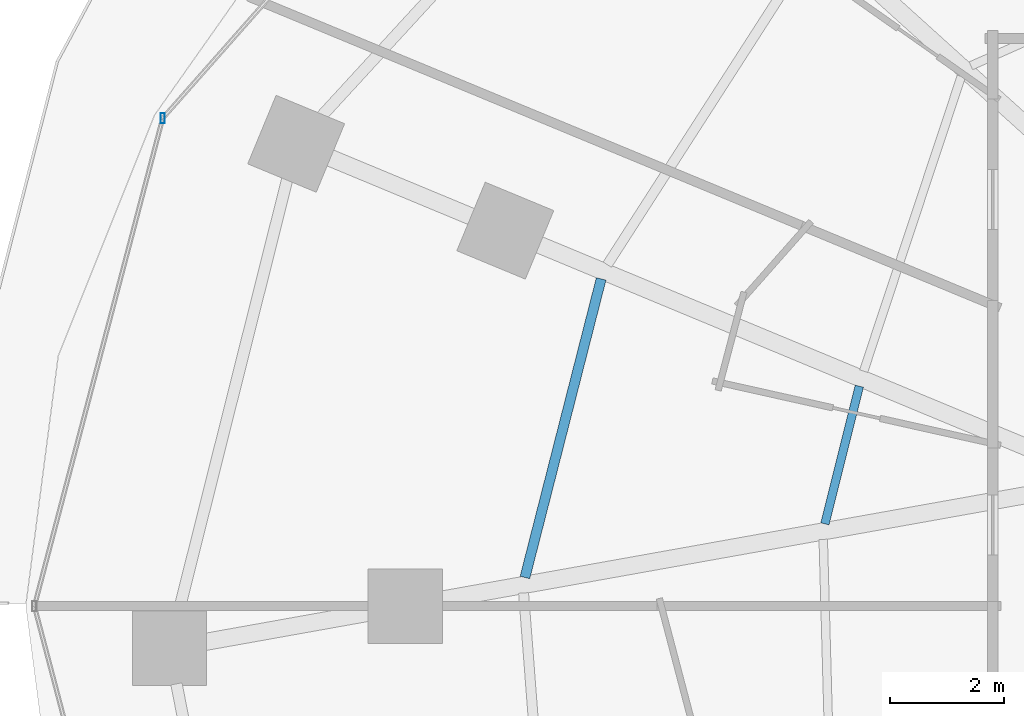
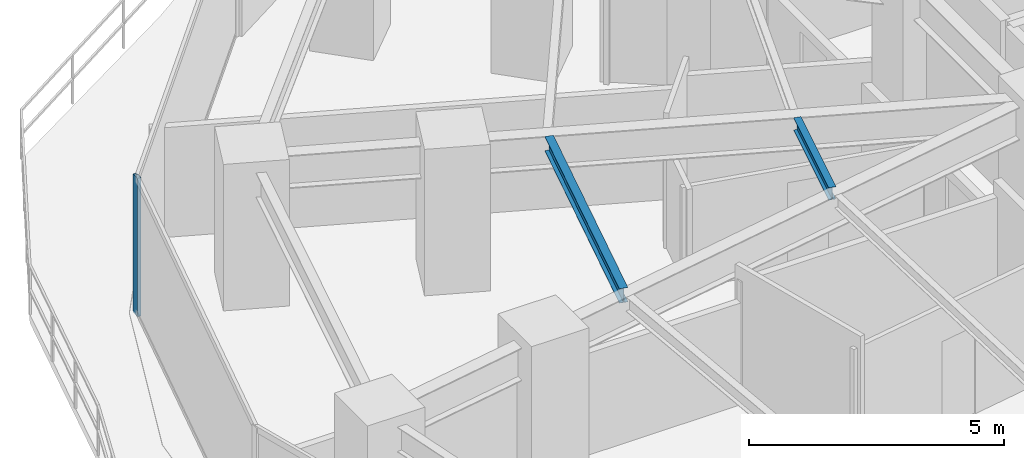
# One storey, part 10 of 34: 2 beams, 1 member, 1 element without a shape of its own.
"""IFC4 building model written with IfcOpenShell, lengths in metres."""

from ifc_helpers import new_model, si_unit, direction, frame, origin, origin_2d, place, context, subcontext, project, spatial, hollow_rectangle, i_section, extrude, material, material_profile, profile_set, type_object, element, aggregate, save


model = new_model("IFC4")

# Units and contexts
model_context = context("Model", 3, precision=1e-05, world=origin(), true_north=direction((0.0, 1.0)))
body_context = subcontext(model_context, "Body", "Model", "MODEL_VIEW")
ifc_project = project(units=[si_unit("LENGTHUNIT", "METRE"), si_unit("AREAUNIT", "SQUARE_METRE"), si_unit("VOLUMEUNIT", "CUBIC_METRE"), si_unit("PLANEANGLEUNIT", "RADIAN"), si_unit("MASSUNIT", "GRAM", prefix="KILO")], contexts=[model_context])

# Site, building, storey
site_placement = place(None, origin())
site = spatial("IfcSite", under=ifc_project, at=site_placement, CompositionType="ELEMENT")
building_placement = place(site_placement, origin())
building = spatial("IfcBuilding", under=site, at=building_placement, Name="Vorneva Point Tower", CompositionType="ELEMENT")
storey_placement = place(building_placement, frame((0.0, 0.0, 31.0)))
storey = spatial("IfcBuildingStorey", under=building, at=storey_placement, Name="L07", CompositionType="ELEMENT", Elevation=31.0)

# Beams
ifc_material_1 = material(Name="Steel S355", Category="steel")
ifc_material_profile_1 = material_profile(ifc_material_1, i_section(OverallWidth=0.14892578125, OverallDepth=0.298095703125, WebThickness=0.005615234375, FlangeThickness=0.008056640625, at=origin_2d()), Name="30B1")
ifc_profile_set_1 = profile_set([ifc_material_profile_1], Name="Steel S355")
beam_type_1 = type_object("IfcBeamType", Name="BM-JST-30B1", PredefinedType="JOIST", material=ifc_profile_set_1)
beam_1_placement = place(storey_placement, frame((22.910400390625, 29.855712890625, 3.091064453125), z_axis=(-0.242373869631, -0.970182924669, 0.0), x_axis=(0.970182924669, -0.242373869631, 0.0)))
element("IfcBeam", 1, at=beam_1_placement, inside=storey, type_object=beam_type_1, Name="L07 Secondary Floor Beam 2.08", PredefinedType="JOIST", context=body_context, shape_type="SweptSolid", body=[
    extrude(i_section(OverallWidth=0.14892578125, OverallDepth=0.298095703125, WebThickness=0.005615234375, FlangeThickness=0.008056640625, at=origin_2d()), origin(), (0.0, 0.0, 1.0), 2.486083984375),
])
ifc_material_profile_2 = material_profile(ifc_material_1, i_section(OverallWidth=0.174072265625, OverallDepth=0.345947265625, WebThickness=0.006103515625, FlangeThickness=0.009033203125, at=origin_2d()), Name="35B1")
ifc_profile_set_2 = profile_set([ifc_material_profile_2], Name="Steel S355")
beam_type_2 = type_object("IfcBeamType", Name="BM-SEC-35B1", PredefinedType="BEAM", material=ifc_profile_set_2)
beam_2_placement = place(storey_placement, frame((18.385009765625, 31.736083984375, 3.06689453125), z_axis=(-0.247350740472, -0.96892600914, 0.0), x_axis=(0.96892600914, -0.247350740472, 0.0)))
element("IfcBeam", 2, at=beam_2_placement, inside=storey, type_object=beam_type_2, Name="L07 Secondary Floor Beam 1.08", PredefinedType="BEAM", context=body_context, shape_type="SweptSolid", body=[
    extrude(i_section(OverallWidth=0.174072265625, OverallDepth=0.345947265625, WebThickness=0.006103515625, FlangeThickness=0.009033203125, at=origin_2d()), origin(), (0.0, 0.0, 1.0), 5.40087890625),
])

# Curtain wall, member
ifc_material_2 = material(Name="Pale anodised aluminium", Category="aluminium")
curtain_wall_type = type_object("IfcCurtainWallType", Name="CW-HTL-SYS", PredefinedType="NOTDEFINED", material=ifc_material_2)
curtain_wall_placement = place(storey_placement, origin())
curtain_wall = element("IfcCurtainWall", 3, at=curtain_wall_placement, inside=storey, type_object=curtain_wall_type, Name="L07 Unitised Curtain Wall CW-L07-R03", PredefinedType="NOTDEFINED")
ifc_material_profile_3 = material_profile(ifc_material_2, hollow_rectangle(XDim=0.074951171875, YDim=0.179931640625, WallThickness=0.00390625, at=origin_2d()), Name="AL-MUL 180x75x4")
ifc_profile_set_3 = profile_set([ifc_material_profile_3], Name="Pale anodised aluminium")
member_type = type_object("IfcMemberType", Name="CW-MUL-180", PredefinedType="MULLION", material=ifc_profile_set_3)
member_placement = place(storey_placement, frame((10.699462890625, 34.552978515625, -0.0400390625), z_axis=(0.0, 0.0, 1.0), x_axis=(1.0, 0.0, 0.0)))
member = element("IfcMember", 4, at=member_placement, type_object=member_type, Name="CW-L07-R03 Mullion 02", PredefinedType="MULLION", context=body_context, shape_type="SweptSolid", body=[
    extrude(hollow_rectangle(XDim=0.074951171875, YDim=0.179931640625, WallThickness=0.00390625, at=origin_2d()), origin(), (0.0, 0.0, 1.0), 3.31005859375),
])
aggregate(curtain_wall, [member])

save(model, "model.ifc")
